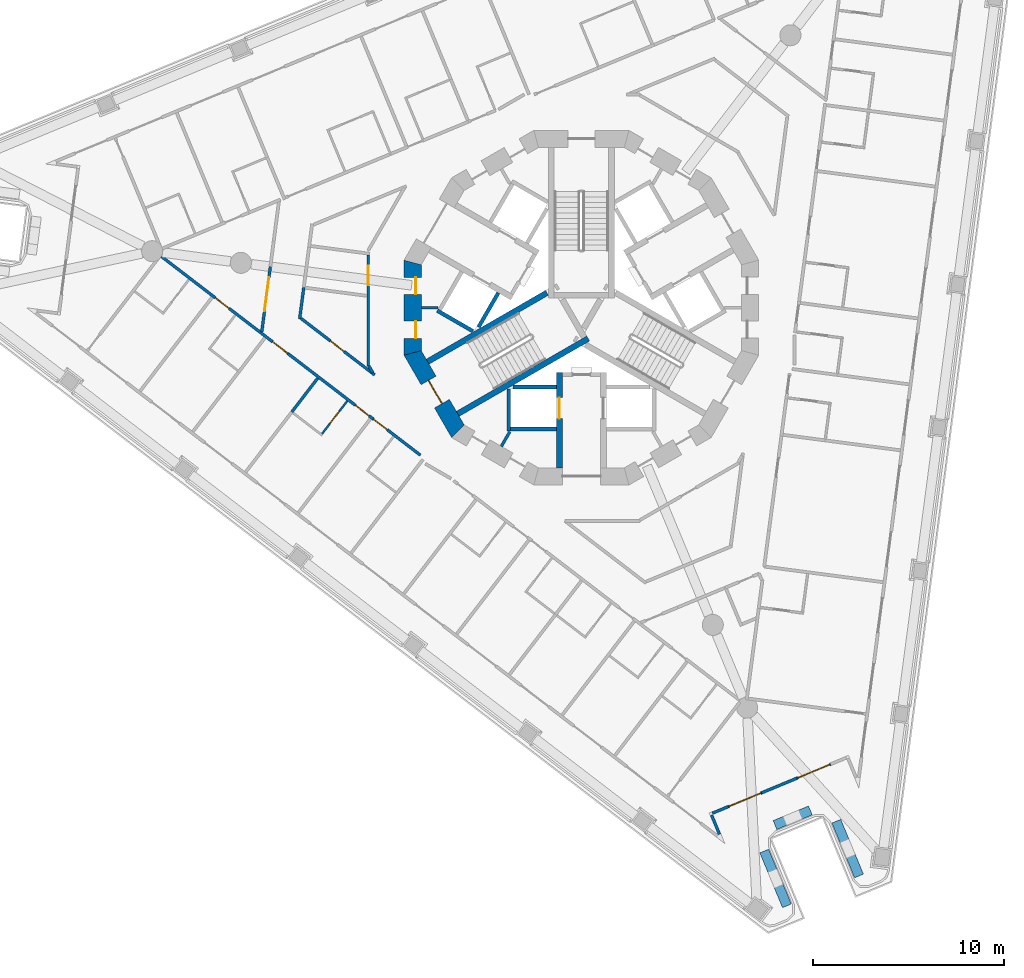
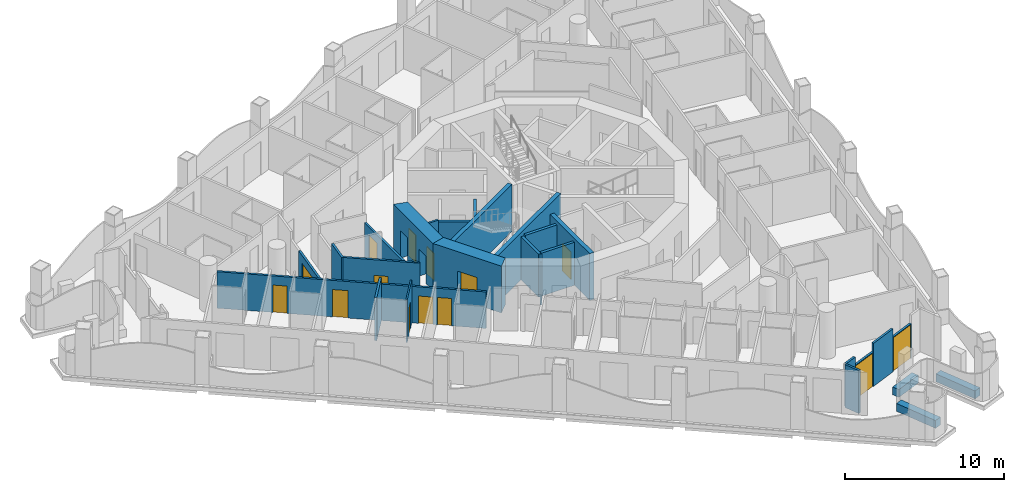
# One storey, part 3 of 18: 28 walls, 14 doors, 14 openings.
"""IFC4 building model written with IfcOpenShell, lengths in metres."""

import ifcopenshell
import ifcopenshell.guid

model = None  # the IFC model being written
_history = None  # IfcOwnerHistory: only IFC2X3 demands one
_inside = {}  # id of a spatial element -> (the spatial element, [elements in it])
_under = {}  # id of a project, library or spatial element -> (it, [spatial elements below it])
_declared = {}  # id of a project -> (the project, [libraries it declares])
_typed = {}  # id of a type object -> (the type object, [elements of that type])
_made_of = {}  # id of a material, layer set ... -> (it, [elements and type objects made of it])


def new_model(schema):
    """Start an empty IFC model of exactly this schema.

    Asked for "IFC4X3", IfcOpenShell would pick the latest addendum, in which some entities
    have other attributes; the version numbers below select the first issue.
    IFC2X3 requires an IfcOwnerHistory on every rooted entity: one is made here for all.
    """
    global model, _history
    if schema == "IFC4X3":
        model = ifcopenshell.file(schema_version=(4, 3, 0, 0))
    else:
        model = ifcopenshell.file(schema=schema)
    _inside.clear()
    _under.clear()
    _declared.clear()
    _typed.clear()
    _made_of.clear()
    _history = None
    if model.schema == "IFC2X3":
        org = make("IfcOrganization", Name="unknown")
        user = make(
            "IfcPersonAndOrganization",
            ThePerson=make("IfcPerson", FamilyName="unknown"),
            TheOrganization=org,
        )
        app = make(
            "IfcApplication",
            ApplicationDeveloper=org,
            Version="unknown",
            ApplicationFullName="unknown",
            ApplicationIdentifier="unknown",
        )
        _history = make(
            "IfcOwnerHistory",
            OwningUser=user,
            OwningApplication=app,
            ChangeAction="ADDED",
            CreationDate=0,
        )
    return model


def make(cls, **values):
    """One entity of the class cls with the attributes given. An attribute that is None is left unset."""
    return model.create_entity(
        cls, **{name: value for name, value in values.items() if value is not None}
    )


def rooted(cls, **values):
    """An entity with a GlobalId (a new one), such as an element, a storey or a relation."""
    return make(cls, GlobalId=ifcopenshell.guid.new(), OwnerHistory=_history, **values)


def si_unit(unit_type, name, prefix=None):
    """IfcSIUnit, for example si_unit("LENGTHUNIT", "METRE", prefix="MILLI")."""
    return make("IfcSIUnit", UnitType=unit_type, Prefix=prefix, Name=name)


def assignment(units):
    """IfcUnitAssignment: the units of a project."""
    return None if units is None else make("IfcUnitAssignment", Units=units)


def point(xyz):
    """IfcCartesianPoint."""
    return None if xyz is None else make("IfcCartesianPoint", Coordinates=xyz)


def direction(xyz):
    """IfcDirection."""
    return None if xyz is None else make("IfcDirection", DirectionRatios=xyz)


def frame(location, z_axis=None, x_axis=None):
    """IfcAxis2Placement3D, a coordinate frame: its origin and axes. An axis left out is left unset."""
    return make(
        "IfcAxis2Placement3D",
        Location=point(location),
        Axis=direction(z_axis),
        RefDirection=direction(x_axis),
    )


def frame_2d(location, x_axis=None):
    """IfcAxis2Placement2D, a coordinate frame in the plane: its origin and x axis."""
    return make(
        "IfcAxis2Placement2D", Location=point(location), RefDirection=direction(x_axis)
    )


def origin():
    """The frame at (0, 0, 0) with its axes left unset."""
    return frame((0.0, 0.0, 0.0))


def place(relative_to, where):
    """IfcLocalPlacement: puts the frame where relative to a parent placement (None: the world)."""
    return make(
        "IfcLocalPlacement", PlacementRelTo=relative_to, RelativePlacement=where
    )


def context(
    kind, dimensions, precision=None, world=None, true_north=None, identifier=None
):
    """IfcGeometricRepresentationContext, for example the 3D "Model" context."""
    return make(
        "IfcGeometricRepresentationContext",
        ContextIdentifier=identifier,
        ContextType=kind,
        CoordinateSpaceDimension=dimensions,
        Precision=precision,
        WorldCoordinateSystem=world,
        TrueNorth=true_north,
    )


def subcontext(parent, identifier, kind, view, scale=None):
    """IfcGeometricRepresentationSubContext, for example "Body" below "Model"."""
    return make(
        "IfcGeometricRepresentationSubContext",
        ContextIdentifier=identifier,
        ContextType=kind,
        ParentContext=parent,
        TargetScale=scale,
        TargetView=view,
    )


def project(units=None, contexts=None):
    """IfcProject with its units and contexts."""
    return rooted(
        "IfcProject",
        Name="project",
        RepresentationContexts=contexts,
        UnitsInContext=assignment(units),
    )


def spatial(cls, under=None, at=None, **own):
    """A site, building, storey or space (cls), placed at a placement, below another one or the project."""
    s = rooted(cls, ObjectPlacement=at, **own)
    if under is not None:
        _under.setdefault(under.id(), (under, []))[1].append(s)
    return s


def polyline(points):
    """IfcPolyline through the points."""
    return make("IfcPolyline", Points=[point(p) for p in points])


def profile(cls, at=None, kind="AREA", **sizes):
    """A parametric profile (cls). Its sizes go by their IFC names, for example OverallWidth=200.0."""
    return make(cls, ProfileType=kind, Position=at, **sizes)


def rectangle(**sizes):
    """IfcRectangleProfileDef."""
    return profile("IfcRectangleProfileDef", **sizes)


def outline(outer, holes=None, kind="AREA"):
    """IfcArbitraryClosedProfileDef: a profile drawn as a closed curve; with holes, ...WithVoids."""
    if holes is None:
        return make("IfcArbitraryClosedProfileDef", ProfileType=kind, OuterCurve=outer)
    return make(
        "IfcArbitraryProfileDefWithVoids",
        ProfileType=kind,
        OuterCurve=outer,
        InnerCurves=holes,
    )


def extrude(swept, where, along, depth):
    """IfcExtrudedAreaSolid: the profile swept, set in the frame where, extruded along a direction by depth."""
    return make(
        "IfcExtrudedAreaSolid",
        SweptArea=swept,
        Position=where,
        ExtrudedDirection=direction(along),
        Depth=depth,
    )


def shape(context_of_items, identifier, shape_type, items):
    """IfcShapeRepresentation: the items that make up one representation, for example the "Body"."""
    return make(
        "IfcShapeRepresentation",
        ContextOfItems=context_of_items,
        RepresentationIdentifier=identifier,
        RepresentationType=shape_type,
        Items=items,
    )


def material(Name=None, Category=None):
    """IfcMaterial."""
    return make("IfcMaterial", Name=Name, Category=Category)


def layer(
    of_material, thickness, ventilated=None, Name=None, Category=None, Priority=None
):
    """IfcMaterialLayer: one layer of a wall or slab, of a material (None: an air gap)."""
    return make(
        "IfcMaterialLayer",
        Material=of_material,
        LayerThickness=thickness,
        IsVentilated=ventilated,
        Name=Name,
        Category=Category,
        Priority=Priority,
    )


def layer_set(layers, Name=None):
    """IfcMaterialLayerSet."""
    return make("IfcMaterialLayerSet", MaterialLayers=layers, LayerSetName=Name)


def made_of(thing, what):
    """Note that an element or type object is made of a material, layer set ...; save() writes the relation."""
    if what is not None:
        _made_of.setdefault(what.id(), (what, []))[1].append(thing)
    return thing


def type_object(cls, material=None, **own):
    """A type object (cls), such as IfcWallType, which elements share."""
    return made_of(rooted(cls, **own), material)


def element(
    cls,
    number,
    at=None,
    inside=None,
    cuts=None,
    type_object=None,
    material=None,
    context=None,
    identifier="Body",
    shape_type=None,
    held_by="IfcProductDefinitionShape",
    body=None,
    shapes=None,
    **own,
):
    """One element of the class cls, such as IfcWall. Its Tag is "e" and its number.

    at: its placement. inside: the storey or other place that contains it. cuts: it is an
    opening in that element (IfcRelVoidsElement). A single representation is given by context,
    identifier, shape_type and body (its items); several are given by shapes. held_by: the class
    of the entity that holds the representations. save() writes the other relations.
    """
    e = rooted(cls, Tag="e%d" % number, ObjectPlacement=at, **own)
    if body is not None:
        shapes = [shape(context, identifier, shape_type, body)]
    if shapes is not None:
        e.Representation = make(held_by, Representations=shapes)
    if inside is not None:
        _inside.setdefault(inside.id(), (inside, []))[1].append(e)
    if cuts is not None:
        rooted(
            "IfcRelVoidsElement", RelatingBuildingElement=cuts, RelatedOpeningElement=e
        )
    if type_object is not None:
        _typed.setdefault(type_object.id(), (type_object, []))[1].append(e)
    return made_of(e, material)


def fill(opening, filler):
    """IfcRelFillsElement: the door or window that sits in an opening."""
    return rooted(
        "IfcRelFillsElement",
        RelatingOpeningElement=opening,
        RelatedBuildingElement=filler,
    )


def aggregate(whole, parts):
    """IfcRelAggregates: a whole, such as a stair, and the parts it consists of."""
    return rooted("IfcRelAggregates", RelatingObject=whole, RelatedObjects=parts)


def save(model, path):
    """Write the relations noted so far, then the file.

    IfcRelAggregates (storeys below a building ...), IfcRelContainedInSpatialStructure (elements
    in a storey), IfcRelDefinesByType, IfcRelAssociatesMaterial and IfcRelDeclares: one each for
    every whole, place, type object, material and project.
    """
    for whole, parts in _under.values():
        aggregate(whole, parts)
    for where, things in _inside.values():
        rooted(
            "IfcRelContainedInSpatialStructure",
            RelatedElements=things,
            RelatingStructure=where,
        )
    for kind, things in _typed.values():
        rooted("IfcRelDefinesByType", RelatedObjects=things, RelatingType=kind)
    for what, things in _made_of.values():
        rooted("IfcRelAssociatesMaterial", RelatedObjects=things, RelatingMaterial=what)
    for by, libraries in _declared.values():
        rooted("IfcRelDeclares", RelatingContext=by, RelatedDefinitions=libraries)
    model.write(path)


model = new_model("IFC4")

# Units and contexts
model_context = context("Model", 3, precision=1e-05, world=origin(), true_north=direction((0.0, 1.0)))
body_context = subcontext(model_context, "Body", "Model", "MODEL_VIEW")
ifc_project = project(units=[si_unit("LENGTHUNIT", "METRE"), si_unit("AREAUNIT", "SQUARE_METRE"), si_unit("VOLUMEUNIT", "CUBIC_METRE"), si_unit("PLANEANGLEUNIT", "RADIAN"), si_unit("MASSUNIT", "GRAM", prefix="KILO")], contexts=[model_context])

# Site, building, storey
site_placement = place(None, origin())
site = spatial("IfcSite", under=ifc_project, at=site_placement, CompositionType="ELEMENT")
building_placement = place(site_placement, origin())
building = spatial("IfcBuilding", under=site, at=building_placement, Name="Trine Commons Tower", CompositionType="ELEMENT")
storey_placement = place(building_placement, frame((0.0, 0.0, 145.800048828125)))
storey = spatial("IfcBuildingStorey", under=building, at=storey_placement, Name="L37", CompositionType="ELEMENT", Elevation=145.800048828125)

# Walls
ifc_material_1 = material(Name="Plasterboard partition on steel studs", Category="steel")
ifc_layer_1 = layer(ifc_material_1, 0.14990234375)
ifc_layer_set_1 = layer_set([ifc_layer_1], Name="Plasterboard partition on steel studs")
wall_type_1 = type_object("IfcWallType", Name="Core room partition 150 mm, EI 60", PredefinedType="PARTITIONING", material=ifc_layer_set_1)
for number, where, z_axis, x_axis, name in (
    (1, (71.626953125, 62.5, 0.0), (0.0, 0.0, 1.0), (1.0, 0.0, 0.0), "Core room partition L37"),
    (2, (75.81396484375, 55.2490234375, 0.0), (0.0, 0.0, 1.0), (0.499890179513, 0.866088799389, 0.0), "Core room partition L37"),
):
    element("IfcWall", number, at=place(storey_placement, frame(where, z_axis=z_axis, x_axis=x_axis)), inside=storey, type_object=wall_type_1, Name=name, PredefinedType="PARTITIONING", context=body_context, shape_type="SweptSolid", body=[
        extrude(rectangle(XDim=0.882080078125, YDim=0.14990234375, at=frame_2d((0.44091796875, 0.0))), origin(), (0.0, 0.0, 1.0), 3.300048828125),
    ])

# Wall, opening, door
ifc_material_2 = material(Name="Aluminium-framed insulated wall panel", Category="aluminium")
ifc_layer_2 = layer(ifc_material_2, 0.14990234375)
ifc_layer_set_2 = layer_set([ifc_layer_2], Name="Aluminium-framed insulated wall panel")
wall_type_2 = type_object("IfcWallType", Name="Glazed frame wall 150, EI 60", PredefinedType="SOLIDWALL", material=ifc_layer_set_2)
wall_1_placement = place(storey_placement, frame((93.027587890625, 38.626708984375, 0.0), z_axis=(0.0, 0.0, 1.0), x_axis=(-0.923888414498, -0.382661988648, 0.0)))
wall_1 = element("IfcWall", 3, at=wall_1_placement, inside=storey, type_object=wall_type_2, Name="Glazed frame wall P3.2", PredefinedType="SOLIDWALL", context=body_context, shape_type="SweptSolid", body=[
    extrude(outline(polyline([(0.0, -0.074951171875), (1.89990234375, -0.074951171875), (1.89990234375, 0.074951171875), (0.0, 0.074951171875), (0.0, -0.074951171875)])), origin(), (0.0, 0.0, 1.0), 2.64990234375),
])
opening_1_placement = place(wall_1_placement, frame((0.050048828125, 0.0, 0.0)))
opening_1 = element("IfcOpeningElement", 4, at=opening_1_placement, cuts=wall_1, Name="Opening BD-4P3-01", PredefinedType="OPENING", context=body_context, shape_type="SweptSolid", body=[
    extrude(rectangle(XDim=1.800048828125, YDim=2.60009765625, at=frame_2d((0.89990234375, 1.300048828125))), frame((0.0, 0.0849609375, 0.0), z_axis=(0.0, -1.0, 0.0), x_axis=(1.0, 0.0, 0.0)), (0.0, 0.0, 1.0), 0.169921875),
])
ifc_material_3 = material(Name="Anodised aluminium frame with double glazing", Category="aluminium")
door_type_1 = type_object("IfcDoorType", Name="Sliding loggia door 1800x2600", OperationType="SLIDING_TO_LEFT", PredefinedType="DOOR", material=ifc_material_3)
door_1_placement = place(opening_1_placement, origin())
door_1 = element("IfcDoor", 5, at=door_1_placement, inside=storey, type_object=door_type_1, Name="Loggia door P3 1", OperationType="SLIDING_TO_LEFT", OverallHeight=2.60009765625, OverallWidth=1.800048828125, PredefinedType="DOOR", context=body_context, shape_type="SweptSolid", body=[
    extrude(rectangle(XDim=1.800048828125, YDim=2.60009765625, at=frame_2d((0.89990234375, 1.300048828125))), frame((0.0, 0.02490234375, 0.0), z_axis=(0.0, -1.0, 0.0), x_axis=(1.0, 0.0, 0.0)), (0.0, 0.0, 1.0), 0.050048828125),
])
fill(opening_1, door_1)

# Wall
wall_2_placement = place(storey_placement, frame((91.272216796875, 37.899658203125, 0.0), z_axis=(0.0, 0.0, 1.0), x_axis=(-0.923887406181, -0.382664423091, 0.0)))
element("IfcWall", 6, at=wall_2_placement, inside=storey, type_object=wall_type_2, Name="Glazed frame wall P3.3", PredefinedType="SOLIDWALL", context=body_context, shape_type="SweptSolid", body=[
    extrude(outline(polyline([(0.0, -0.074951171875), (2.0, -0.074951171875), (2.0, 0.074951171875), (0.0, 0.074951171875), (0.0, -0.074951171875)])), origin(), (0.0, 0.0, 1.0), 3.300048828125),
])

# Wall, opening, door
wall_3_placement = place(storey_placement, frame((89.42431640625, 37.13427734375, 0.0), z_axis=(0.0, 0.0, 1.0), x_axis=(-0.923869595408, -0.382707421773, 0.0)))
wall_3 = element("IfcWall", 7, at=wall_3_placement, inside=storey, type_object=wall_type_2, Name="Glazed frame wall P3.4", PredefinedType="SOLIDWALL", context=body_context, shape_type="SweptSolid", body=[
    extrude(outline(polyline([(0.0, -0.074951171875), (1.89990234375, -0.074951171875), (1.89990234375, 0.074951171875), (0.0, 0.074951171875), (0.0, -0.074951171875)])), origin(), (0.0, 0.0, 1.0), 2.64990234375),
])
opening_2_placement = place(wall_3_placement, frame((0.050048828125, 0.0, 0.0)))
opening_2 = element("IfcOpeningElement", 8, at=opening_2_placement, cuts=wall_3, Name="Opening BD-4P3-02", PredefinedType="OPENING", context=body_context, shape_type="SweptSolid", body=[
    extrude(rectangle(XDim=1.800048828125, YDim=2.60009765625, at=frame_2d((0.89990234375, 1.300048828125))), frame((0.0, 0.0849609375, 0.0), z_axis=(0.0, -1.0, 0.0), x_axis=(1.0, 0.0, 0.0)), (0.0, 0.0, 1.0), 0.169921875),
])
door_2_placement = place(opening_2_placement, origin())
door_2 = element("IfcDoor", 9, at=door_2_placement, inside=storey, type_object=door_type_1, Name="Loggia door P3 2", OperationType="SLIDING_TO_LEFT", OverallHeight=2.60009765625, OverallWidth=1.800048828125, PredefinedType="DOOR", context=body_context, shape_type="SweptSolid", body=[
    extrude(rectangle(XDim=1.800048828125, YDim=2.60009765625, at=frame_2d((0.89990234375, 1.300048828125))), frame((0.0, 0.02490234375, 0.0), z_axis=(0.0, -1.0, 0.0), x_axis=(1.0, 0.0, 0.0)), (0.0, 0.0, 1.0), 0.050048828125),
])
fill(opening_2, door_2)

# Walls
wall_4_placement = place(storey_placement, frame((87.669189453125, 36.4072265625, 0.0), z_axis=(0.0, 0.0, 1.0), x_axis=(-0.923862128325, -0.382725447084, 0.0)))
element("IfcWall", 10, at=wall_4_placement, inside=storey, type_object=wall_type_2, Name="Glazed frame wall P3.5", PredefinedType="SOLIDWALL", context=body_context, shape_type="SweptSolid", body=[
    extrude(outline(polyline([(0.889892578125, 0.074951171875), (0.0, 0.074951171875), (0.0, -0.074951171875), (0.889892578125, -0.074951171875), (0.889892578125, 0.074951171875)])), origin(), (0.0, 0.0, 1.0), 3.300048828125),
])
wall_5_placement = place(storey_placement, frame((86.76416015625, 36.0703125, 0.0), z_axis=(0.0, 0.0, 1.0), x_axis=(0.382629665579, -0.923901801611, 0.0)))
element("IfcWall", 11, at=wall_5_placement, inside=storey, type_object=wall_type_2, Name="Glazed frame wall R11", PredefinedType="SOLIDWALL", context=body_context, shape_type="SweptSolid", body=[
    extrude(outline(polyline([(0.110107421875, 0.074951171875), (0.110107421875, -0.074951171875), (1.19580078125, -0.074951171875), (1.19580078125, 0.074951171875), (0.110107421875, 0.074951171875)])), origin(), (0.0, 0.0, 1.0), 3.300048828125),
])
ifc_material_4 = material(Name="Planter trough, precast concrete C40/50", Category="concrete")
ifc_layer_3 = layer(ifc_material_4, 0.5)
ifc_layer_set_3 = layer_set([ifc_layer_3], Name="Planter trough, precast concrete C40/50")
wall_type_3 = type_object("IfcWallType", Name="Planter trough 500x600", PredefinedType="PARAPET", material=ifc_layer_set_3)
wall_6_placement = place(storey_placement, frame((94.515625, 32.78662109375, 0.0), z_axis=(0.0, 0.0, 1.0), x_axis=(-0.382674068277, 0.923883411188, 0.0)))
element("IfcWall", 12, at=wall_6_placement, inside=storey, type_object=wall_type_3, Name="Planter 7", PredefinedType="PARAPET", context=body_context, shape_type="SweptSolid", body=[
    extrude(rectangle(XDim=3.099853515625, YDim=0.5, at=frame_2d((1.5498046875, 0.0))), origin(), (0.0, 0.0, 1.0), 0.599853515625),
])
wall_7_placement = place(storey_placement, frame((91.970703125, 36.21337890625, 0.0), z_axis=(0.0, 0.0, 1.0), x_axis=(-0.923930555985, -0.382560227567, 0.0)))
element("IfcWall", 13, at=wall_7_placement, inside=storey, type_object=wall_type_3, Name="Planter 8", PredefinedType="PARAPET", context=body_context, shape_type="SweptSolid", body=[
    extrude(rectangle(XDim=2.0, YDim=0.5, at=frame_2d((1.0, 0.0))), origin(), (0.0, 0.0, 1.0), 0.599853515625),
])
wall_8_placement = place(storey_placement, frame((89.56005859375, 34.08935546875, 0.0), z_axis=(0.0, 0.0, 1.0), x_axis=(0.382674068277, -0.923883411188, 0.0)))
element("IfcWall", 14, at=wall_8_placement, inside=storey, type_object=wall_type_3, Name="Planter 9", PredefinedType="PARAPET", context=body_context, shape_type="SweptSolid", body=[
    extrude(rectangle(XDim=3.099853515625, YDim=0.5, at=frame_2d((1.5498046875, 0.0))), origin(), (0.0, 0.0, 1.0), 0.599853515625),
])

# Wall, opening, door
ifc_material_5 = material(Name="Concrete C70/85", Category="concrete")
ifc_layer_4 = layer(ifc_material_5, 0.300048828125)
ifc_layer_set_4 = layer_set([ifc_layer_4], Name="Concrete C70/85")
wall_type_4 = type_object("IfcWallType", Name="RC shear wall 300 mm, C70/85", PredefinedType="SHEAR", material=ifc_layer_set_4)
wall_9_placement = place(storey_placement, frame((78.85009765625, 59.10009765625, 0.0), z_axis=(0.0, 0.0, 1.0), x_axis=(0.0, -1.0, 0.0)))
wall_9 = element("IfcWall", 15, at=wall_9_placement, inside=storey, type_object=wall_type_4, Name="Core cross wall SWB-03 L37", PredefinedType="SHEAR", context=body_context, shape_type="SweptSolid", body=[
    extrude(rectangle(XDim=4.97314453125, YDim=0.300048828125, at=frame_2d((2.486572265625, 0.0))), origin(), (0.0, 0.0, 1.0), 3.599853515625),
])
opening_3_placement = place(wall_9_placement, frame((1.300048828125, 0.0, 0.0)))
opening_3 = element("IfcOpeningElement", 16, at=opening_3_placement, cuts=wall_9, Name="Opening LD10", PredefinedType="OPENING", context=body_context, shape_type="SweptSolid", body=[
    extrude(rectangle(XDim=1.10009765625, YDim=2.10009765625, at=frame_2d((0.550048828125, 1.050048828125))), frame((0.0, 0.159912109375, 0.0), z_axis=(0.0, -1.0, 0.0), x_axis=(1.0, 0.0, 0.0)), (0.0, 0.0, 1.0), 0.320068359375),
])
ifc_material_6 = material(Name="Stainless steel sliding door leaves", Category="steel")
door_type_2 = type_object("IfcDoorType", Name="Lift landing door, centre-opening sliding 1100 x 2100, FD90", OperationType="DOUBLE_DOOR_SLIDING", PredefinedType="DOOR", material=ifc_material_6)
door_3_placement = place(opening_3_placement, origin())
door_3 = element("IfcDoor", 17, at=door_3_placement, inside=storey, type_object=door_type_2, Name="Lift landing door FF2 L37", OperationType="DOUBLE_DOOR_SLIDING", OverallHeight=2.10009765625, OverallWidth=1.10009765625, PredefinedType="DOOR", context=body_context, shape_type="SweptSolid", body=[
    extrude(rectangle(XDim=1.10009765625, YDim=2.10009765625, at=frame_2d((0.550048828125, 1.050048828125))), frame((0.0, 0.02490234375, 0.0), z_axis=(0.0, -1.0, 0.0), x_axis=(1.0, 0.0, 0.0)), (0.0, 0.0, 1.0), 0.050048828125),
])
fill(opening_3, door_3)

# Walls
wall_10_placement = place(storey_placement, frame((78.199951171875, 63.280029296875, 0.0), z_axis=(0.0, 0.0, 1.0), x_axis=(-0.866028135082, -0.499995269223, 0.0)))
element("IfcWall", 18, at=wall_10_placement, inside=storey, type_object=wall_type_4, Name="Core cross wall SWB-07 L37", PredefinedType="SHEAR", context=body_context, shape_type="SweptSolid", body=[
    extrude(rectangle(XDim=7.2041015625, YDim=0.300048828125, at=frame_2d((3.60205078125, 0.0))), origin(), (0.0, 0.0, 1.0), 3.599853515625),
])
wall_11_placement = place(storey_placement, frame((80.35400390625, 60.885986328125, 0.0), z_axis=(0.0, 0.0, 1.0), x_axis=(-0.866047706748, -0.499961368145, 0.0)))
element("IfcWall", 19, at=wall_11_placement, inside=storey, type_object=wall_type_4, Name="Core cross wall SWB-14 L37", PredefinedType="SHEAR", context=body_context, shape_type="SweptSolid", body=[
    extrude(rectangle(XDim=7.87255859375, YDim=0.300048828125, at=frame_2d((3.936279296875, 0.0))), origin(), (0.0, 0.0, 1.0), 3.599853515625),
])

# Wall, openings, doors
ifc_layer_5 = layer(ifc_material_5, 0.89990234375)
ifc_layer_set_5 = layer_set([ifc_layer_5], Name="Concrete C70/85")
wall_type_5 = type_object("IfcWallType", Name="RC shear wall 900 mm, C70/85", PredefinedType="SHEAR", material=ifc_layer_set_5)
wall_12_placement = place(storey_placement, frame((71.177001953125, 64.984619140625, 0.0), z_axis=(0.0, 0.0, 1.0), x_axis=(0.0, -1.0, 0.0)))
wall_12 = element("IfcWall", 20, at=wall_12_placement, inside=storey, type_object=wall_type_5, Name="Core wall CWD-07 L37", PredefinedType="SHEAR", context=body_context, shape_type="SweptSolid", body=[
    extrude(outline(polyline([(0.0, -0.449951171875), (4.969482421875, -0.449951171875), (4.728271484375, 0.449951171875), (0.2412109375, 0.449951171875), (0.0, -0.449951171875)])), origin(), (0.0, 0.0, 1.0), 3.599853515625),
])
opening_4_placement = place(wall_12_placement, frame((0.893798828125, 0.0, 0.0)))
opening_4 = element("IfcOpeningElement", 21, at=opening_4_placement, cuts=wall_12, Name="Opening K12.16", PredefinedType="OPENING", context=body_context, shape_type="SweptSolid", body=[
    extrude(rectangle(XDim=0.89990234375, YDim=2.10009765625, at=frame_2d((0.449951171875, 1.050048828125))), frame((0.0, 0.4599609375, 0.0), z_axis=(0.0, -1.0, 0.0), x_axis=(1.0, 0.0, 0.0)), (0.0, 0.0, 1.0), 0.919921875),
])
opening_5_placement = place(wall_12_placement, frame((3.184814453125, 0.0, 0.0)))
opening_5 = element("IfcOpeningElement", 22, at=opening_5_placement, cuts=wall_12, Name="Opening K12.17", PredefinedType="OPENING", context=body_context, shape_type="SweptSolid", body=[
    extrude(rectangle(XDim=0.89990234375, YDim=2.10009765625, at=frame_2d((0.449951171875, 1.050048828125))), frame((0.0, 0.4599609375, 0.0), z_axis=(0.0, -1.0, 0.0), x_axis=(1.0, 0.0, 0.0)), (0.0, 0.0, 1.0), 0.919921875),
])
ifc_material_7 = material(Name="Steel door leaf, fire-rated", Category="steel")
door_type_3 = type_object("IfcDoorType", Name="Core room door, single leaf 900 x 2100, FD30S", OperationType="SINGLE_SWING_LEFT", PredefinedType="DOOR", material=ifc_material_7)
door_4_placement = place(opening_4_placement, origin())
door_4 = element("IfcDoor", 23, at=door_4_placement, inside=storey, type_object=door_type_3, Name="Door to Pantry L37", OperationType="SINGLE_SWING_LEFT", OverallHeight=2.10009765625, OverallWidth=0.89990234375, PredefinedType="DOOR", context=body_context, shape_type="SweptSolid", body=[
    extrude(rectangle(XDim=0.89990234375, YDim=2.10009765625, at=frame_2d((0.449951171875, 1.050048828125))), frame((0.0, 0.1748046875, 0.0), z_axis=(0.0, -1.0, 0.0), x_axis=(1.0, 0.0, 0.0)), (0.0, 0.0, 1.0), 0.050048828125),
])
fill(opening_4, door_4)
door_5_placement = place(opening_5_placement, origin())
door_5 = element("IfcDoor", 24, at=door_5_placement, inside=storey, type_object=door_type_3, Name="Door to Comms room L37", OperationType="SINGLE_SWING_RIGHT", OverallHeight=2.10009765625, OverallWidth=0.89990234375, PredefinedType="DOOR", context=body_context, shape_type="SweptSolid", body=[
    extrude(rectangle(XDim=0.89990234375, YDim=2.10009765625, at=frame_2d((0.449951171875, 1.050048828125))), frame((0.0, 0.1748046875, 0.0), z_axis=(0.0, -1.0, 0.0), x_axis=(1.0, 0.0, 0.0)), (0.0, 0.0, 1.0), 0.050048828125),
])
fill(opening_5, door_5)

# Wall, opening, door
wall_13_placement = place(storey_placement, frame((71.11669921875, 60.240234375, 0.0), z_axis=(0.0, 0.0, 1.0), x_axis=(0.500038571144, -0.866003133579, 0.0)))
wall_13 = element("IfcWall", 25, at=wall_13_placement, inside=storey, type_object=wall_type_5, Name="Core wall CWD-08 L37", PredefinedType="SHEAR", context=body_context, shape_type="SweptSolid", body=[
    extrude(outline(polyline([(0.0, -0.449951171875), (4.96923828125, -0.449951171875), (4.72802734375, 0.449951171875), (0.2412109375, 0.449951171875), (0.0, -0.449951171875)])), origin(), (0.0, 0.0, 1.0), 3.599853515625),
])
opening_6_placement = place(wall_13_placement, frame((1.78466796875, 0.0, 0.0)))
opening_6 = element("IfcOpeningElement", 26, at=opening_6_placement, cuts=wall_13, Name="Opening K12.02", PredefinedType="OPENING", context=body_context, shape_type="SweptSolid", body=[
    extrude(rectangle(XDim=1.39990234375, YDim=2.10009765625, at=frame_2d((0.699951171875, 1.050048828125))), frame((0.0, 0.4599609375, 0.0), z_axis=(0.0, -1.0, 0.0), x_axis=(1.0, 0.0, 0.0)), (0.0, 0.0, 1.0), 0.919921875),
])
ifc_material_8 = material(Name="Steel door leaves, fire-rated", Category="steel")
door_type_4 = type_object("IfcDoorType", Name="Stair door, double leaf 1400 x 2100, FD90", OperationType="DOUBLE_DOOR_SINGLE_SWING", PredefinedType="DOOR", material=ifc_material_8)
door_6_placement = place(opening_6_placement, origin())
door_6 = element("IfcDoor", 27, at=door_6_placement, inside=storey, type_object=door_type_4, Name="Stair door to Exit stair ST2B L37", OperationType="DOUBLE_DOOR_SINGLE_SWING", OverallHeight=2.10009765625, OverallWidth=1.39990234375, PredefinedType="DOOR", context=body_context, shape_type="SweptSolid", body=[
    extrude(rectangle(XDim=1.39990234375, YDim=2.10009765625, at=frame_2d((0.699951171875, 1.050048828125))), frame((0.0, 0.02490234375, 0.0), z_axis=(0.0, -1.0, 0.0), x_axis=(1.0, 0.0, 0.0)), (0.0, 0.0, 1.0), 0.050048828125),
])
fill(opening_6, door_6)

# Walls
ifc_material_9 = material(Name="Fire-rated gypsum shaft wall system")
ifc_layer_6 = layer(ifc_material_9, 0.199951171875)
ifc_layer_set_6 = layer_set([ifc_layer_6], Name="Fire-rated gypsum shaft wall system")
wall_type_6 = type_object("IfcWallType", Name="Shaft wall 200 mm, EI 120", PredefinedType="PARTITIONING", material=ifc_layer_set_6)
wall_14_placement = place(storey_placement, frame((74.324951171875, 61.27392578125, 0.0), z_axis=(0.0, 0.0, 1.0), x_axis=(-0.866102336459, 0.499866725018, 0.0)))
element("IfcWall", 28, at=wall_14_placement, inside=storey, type_object=wall_type_6, Name="Shaft wall L37", PredefinedType="PARTITIONING", context=body_context, shape_type="SweptSolid", body=[
    extrude(rectangle(XDim=2.1484375, YDim=0.199951171875, at=frame_2d((1.07421875, 0.0))), origin(), (0.0, 0.0, 1.0), 3.300048828125),
])
wall_15_placement = place(storey_placement, frame((75.656005859375, 63.27587890625, 0.0), z_axis=(0.0, 0.0, 1.0), x_axis=(-0.500271688072, -0.86586848777, 0.0)))
element("IfcWall", 29, at=wall_15_placement, inside=storey, type_object=wall_type_6, Name="Shaft wall L37", PredefinedType="PARTITIONING", context=body_context, shape_type="SweptSolid", body=[
    extrude(rectangle(XDim=2.064697265625, YDim=0.199951171875, at=frame_2d((1.0322265625, 0.0))), origin(), (0.0, 0.0, 1.0), 3.300048828125),
])
wall_16_placement = place(storey_placement, frame((76.199951171875, 58.257080078125, 0.0), z_axis=(0.0, 0.0, 1.0), x_axis=(0.0, -1.0, 0.0)))
element("IfcWall", 30, at=wall_16_placement, inside=storey, type_object=wall_type_6, Name="Shaft wall L37", PredefinedType="PARTITIONING", context=body_context, shape_type="SweptSolid", body=[
    extrude(rectangle(XDim=2.20703125, YDim=0.199951171875, at=frame_2d((1.103515625, 0.0))), origin(), (0.0, 0.0, 1.0), 3.300048828125),
])
wall_17_placement = place(storey_placement, frame((78.699951171875, 56.14990234375, 0.0), z_axis=(0.0, 0.0, 1.0), x_axis=(-1.0, 0.0, 0.0)))
element("IfcWall", 31, at=wall_17_placement, inside=storey, type_object=wall_type_6, Name="Shaft wall L37", PredefinedType="PARTITIONING", context=body_context, shape_type="SweptSolid", body=[
    extrude(rectangle(XDim=2.39990234375, YDim=0.199951171875, at=frame_2d((1.199951171875, 0.0))), origin(), (0.0, 0.0, 1.0), 3.300048828125),
])
wall_18_placement = place(storey_placement, frame((78.699951171875, 58.35009765625, 0.0), z_axis=(0.0, 0.0, 1.0), x_axis=(-1.0, 0.0, 0.0)))
element("IfcWall", 32, at=wall_18_placement, inside=storey, type_object=wall_type_6, Name="Shaft wall L37", PredefinedType="PARTITIONING", context=body_context, shape_type="SweptSolid", body=[
    extrude(rectangle(XDim=2.264892578125, YDim=0.199951171875, at=frame_2d((1.13232421875, 0.0))), origin(), (0.0, 0.0, 1.0), 3.300048828125),
])

# Wall, openings, doors
ifc_material_10 = material(Name="Gypsum plasterboard on steel stud", Category="steel")
ifc_layer_7 = layer(ifc_material_10, 0.14990234375)
ifc_layer_set_7 = layer_set([ifc_layer_7], Name="Gypsum plasterboard on steel stud")
wall_type_7 = type_object("IfcWallType", Name="Unit and corridor wall 150 mm, EI 60", PredefinedType="PARTITIONING", material=ifc_layer_set_7)
wall_19_placement = place(storey_placement, frame((58.04150390625, 65.17626953125, 0.0), z_axis=(0.0, 0.0, 1.0), x_axis=(0.793390311924, -0.608713243609, 0.0)))
wall_19 = element("IfcWall", 33, at=wall_19_placement, inside=storey, type_object=wall_type_7, Name="Partition 006", PredefinedType="PARTITIONING", context=body_context, shape_type="SweptSolid", body=[
    extrude(rectangle(XDim=17.064208984375, YDim=0.14990234375, at=frame_2d((8.5322265625, 0.0))), origin(), (0.0, 0.0, 1.0), 2.800048828125),
])
opening_7_placement = place(wall_19_placement, frame((13.98388671875, 0.0, 0.0)))
opening_7 = element("IfcOpeningElement", 34, at=opening_7_placement, cuts=wall_19, Name="Opening D-4C28", PredefinedType="OPENING", context=body_context, shape_type="SweptSolid", body=[
    extrude(rectangle(XDim=0.89990234375, YDim=2.10009765625, at=frame_2d((0.449951171875, 1.050048828125))), frame((0.0, 0.0849609375, 0.0), z_axis=(0.0, -1.0, 0.0), x_axis=(1.0, 0.0, 0.0)), (0.0, 0.0, 1.0), 0.169921875),
])
opening_8_placement = place(wall_19_placement, frame((12.7841796875, 0.0, 0.0)))
opening_8 = element("IfcOpeningElement", 35, at=opening_8_placement, cuts=wall_19, Name="Opening D-4C29", PredefinedType="OPENING", context=body_context, shape_type="SweptSolid", body=[
    extrude(rectangle(XDim=0.89990234375, YDim=2.10009765625, at=frame_2d((0.449951171875, 1.050048828125))), frame((0.0, 0.0849609375, 0.0), z_axis=(0.0, -1.0, 0.0), x_axis=(1.0, 0.0, 0.0)), (0.0, 0.0, 1.0), 0.169921875),
])
opening_9_placement = place(wall_19_placement, frame((7.32177734375, 0.0, 0.0)))
opening_9 = element("IfcOpeningElement", 36, at=opening_9_placement, cuts=wall_19, Name="Opening D-4C30", PredefinedType="OPENING", context=body_context, shape_type="SweptSolid", body=[
    extrude(rectangle(XDim=1.0, YDim=2.10009765625, at=frame_2d((0.5, 1.050048828125))), frame((0.0, 0.0849609375, 0.0), z_axis=(0.0, -1.0, 0.0), x_axis=(1.0, 0.0, 0.0)), (0.0, 0.0, 1.0), 0.169921875),
])
opening_10_placement = place(wall_19_placement, frame((3.55126953125, 0.0, 0.0)))
opening_10 = element("IfcOpeningElement", 37, at=opening_10_placement, cuts=wall_19, Name="Opening D-4C31", PredefinedType="OPENING", context=body_context, shape_type="SweptSolid", body=[
    extrude(rectangle(XDim=0.89990234375, YDim=2.10009765625, at=frame_2d((0.449951171875, 1.050048828125))), frame((0.0, 0.0849609375, 0.0), z_axis=(0.0, -1.0, 0.0), x_axis=(1.0, 0.0, 0.0)), (0.0, 0.0, 1.0), 0.169921875),
])
ifc_material_11 = material(Name="Painted timber", Category="wood")
door_type_5 = type_object("IfcDoorType", Name="Amenity room door 1000 x 2100, NOT RATED", OperationType="NOTDEFINED", PredefinedType="DOOR", material=ifc_material_11)
door_7_placement = place(opening_9_placement, frame((1.0, 0.0, 0.0), z_axis=(0.0, 0.0, 1.0), x_axis=(-1.0, 0.0, 0.0)))
door_7 = element("IfcDoor", 38, at=door_7_placement, inside=storey, type_object=door_type_5, Name="Door D-4C30", OperationType="SINGLE_SWING_RIGHT", OverallHeight=2.10009765625, OverallWidth=1.0, PredefinedType="DOOR", context=body_context, shape_type="SweptSolid", body=[
    extrude(rectangle(XDim=1.0, YDim=2.10009765625, at=frame_2d((0.5, 1.050048828125))), frame((0.0, 0.02490234375, 0.0), z_axis=(0.0, -1.0, 0.0), x_axis=(1.0, 0.0, 0.0)), (0.0, 0.0, 1.0), 0.050048828125),
])
fill(opening_9, door_7)
ifc_material_12 = material(Name="Timber fire door set", Category="wood")
door_type_6 = type_object("IfcDoorType", Name="Bedroom door 900 x 2100, FD30S", OperationType="NOTDEFINED", PredefinedType="DOOR", material=ifc_material_12)
door_8_placement = place(opening_7_placement, frame((0.89990234375, 0.0, 0.0), z_axis=(0.0, 0.0, 1.0), x_axis=(-1.0, 0.0, 0.0)))
door_8 = element("IfcDoor", 39, at=door_8_placement, inside=storey, type_object=door_type_6, Name="Door D-4C28", OperationType="SINGLE_SWING_LEFT", OverallHeight=2.10009765625, OverallWidth=0.89990234375, PredefinedType="DOOR", context=body_context, shape_type="SweptSolid", body=[
    extrude(rectangle(XDim=0.89990234375, YDim=2.10009765625, at=frame_2d((0.449951171875, 1.050048828125))), frame((0.0, 0.02490234375, 0.0), z_axis=(0.0, -1.0, 0.0), x_axis=(1.0, 0.0, 0.0)), (0.0, 0.0, 1.0), 0.050048828125),
])
fill(opening_7, door_8)
door_9_placement = place(opening_8_placement, frame((0.89990234375, 0.0, 0.0), z_axis=(0.0, 0.0, 1.0), x_axis=(-1.0, 0.0, 0.0)))
door_9 = element("IfcDoor", 40, at=door_9_placement, inside=storey, type_object=door_type_6, Name="Door D-4C29", OperationType="SINGLE_SWING_LEFT", OverallHeight=2.10009765625, OverallWidth=0.89990234375, PredefinedType="DOOR", context=body_context, shape_type="SweptSolid", body=[
    extrude(rectangle(XDim=0.89990234375, YDim=2.10009765625, at=frame_2d((0.449951171875, 1.050048828125))), frame((0.0, 0.02490234375, 0.0), z_axis=(0.0, -1.0, 0.0), x_axis=(1.0, 0.0, 0.0)), (0.0, 0.0, 1.0), 0.050048828125),
])
fill(opening_8, door_9)
door_10_placement = place(opening_10_placement, frame((0.89990234375, 0.0, 0.0), z_axis=(0.0, 0.0, 1.0), x_axis=(-1.0, 0.0, 0.0)))
door_10 = element("IfcDoor", 41, at=door_10_placement, inside=storey, type_object=door_type_6, Name="Door D-4C31", OperationType="SINGLE_SWING_RIGHT", OverallHeight=2.10009765625, OverallWidth=0.89990234375, PredefinedType="DOOR", context=body_context, shape_type="SweptSolid", body=[
    extrude(rectangle(XDim=0.89990234375, YDim=2.10009765625, at=frame_2d((0.449951171875, 1.050048828125))), frame((0.0, 0.02490234375, 0.0), z_axis=(0.0, -1.0, 0.0), x_axis=(1.0, 0.0, 0.0)), (0.0, 0.0, 1.0), 0.050048828125),
])
fill(opening_10, door_10)

# Wall, opening, door
wall_20_placement = place(storey_placement, frame((63.286865234375, 61.2333984375, 0.0), z_axis=(0.0, 0.0, 1.0), x_axis=(0.130693367383, 0.991422838007, 0.0)))
wall_20 = element("IfcWall", 42, at=wall_20_placement, inside=storey, type_object=wall_type_7, Name="Partition 020", PredefinedType="PARTITIONING", context=body_context, shape_type="SweptSolid", body=[
    extrude(rectangle(XDim=3.437255859375, YDim=0.14990234375, at=frame_2d((1.71875, 0.0))), origin(), (0.0, 0.0, 1.0), 2.699951171875),
])
opening_11_placement = place(wall_20_placement, frame((1.0859375, 0.0, 0.0)))
opening_11 = element("IfcOpeningElement", 43, at=opening_11_placement, cuts=wall_20, Name="Opening D-4C03", PredefinedType="OPENING", context=body_context, shape_type="SweptSolid", body=[
    extrude(rectangle(XDim=1.800048828125, YDim=2.10009765625, at=frame_2d((0.89990234375, 1.050048828125))), frame((0.0, 0.0849609375, 0.0), z_axis=(0.0, -1.0, 0.0), x_axis=(1.0, 0.0, 0.0)), (0.0, 0.0, 1.0), 0.169921875),
])
door_type_7 = type_object("IfcDoorType", Name="Cluster entrance door 1800 x 2100, double leaf, FD30S", OperationType="DOUBLE_DOOR_DOUBLE_SWING", PredefinedType="DOOR", material=ifc_material_12)
door_11_placement = place(opening_11_placement, origin())
door_11 = element("IfcDoor", 44, at=door_11_placement, inside=storey, type_object=door_type_7, Name="Door D-4C03", OperationType="DOUBLE_DOOR_DOUBLE_SWING", OverallHeight=2.10009765625, OverallWidth=1.800048828125, PredefinedType="DOOR", context=body_context, shape_type="SweptSolid", body=[
    extrude(rectangle(XDim=1.800048828125, YDim=2.10009765625, at=frame_2d((0.89990234375, 1.050048828125))), frame((0.0, 0.02490234375, 0.0), z_axis=(0.0, -1.0, 0.0), x_axis=(1.0, 0.0, 0.0)), (0.0, 0.0, 1.0), 0.050048828125),
])
fill(opening_11, door_11)

# Walls
wall_21_placement = place(storey_placement, frame((64.85791015625, 57.047119140625, 0.0), z_axis=(0.0, 0.0, 1.0), x_axis=(0.608724036588, 0.793382031105, 0.0)))
element("IfcWall", 45, at=wall_21_placement, inside=storey, type_object=wall_type_7, Name="Partition 025", PredefinedType="PARTITIONING", context=body_context, shape_type="SweptSolid", body=[
    extrude(rectangle(XDim=2.22509765625, YDim=0.14990234375, at=frame_2d((1.112548828125, 0.0))), origin(), (0.0, 0.0, 1.0), 3.300048828125),
])
wall_22_placement = place(storey_placement, frame((65.26708984375, 61.91259765625, 0.0), z_axis=(0.0, 0.0, 1.0), x_axis=(0.130621934677, 0.991432251937, 0.0)))
element("IfcWall", 46, at=wall_22_placement, inside=storey, type_object=wall_type_7, Name="Partition 028", PredefinedType="PARTITIONING", context=body_context, shape_type="SweptSolid", body=[
    extrude(rectangle(XDim=1.65966796875, YDim=0.14990234375, at=frame_2d((0.829833984375, 0.0))), origin(), (0.0, 0.0, 1.0), 3.300048828125),
])

# Wall, opening, door
wall_23_placement = place(storey_placement, frame((65.33642578125, 61.94140625, 0.0), z_axis=(0.0, 0.0, 1.0), x_axis=(0.79340079326, -0.608699582105, 0.0)))
wall_23 = element("IfcWall", 47, at=wall_23_placement, inside=storey, type_object=wall_type_7, Name="Partition 029", PredefinedType="PARTITIONING", context=body_context, shape_type="SweptSolid", body=[
    extrude(rectangle(XDim=4.8564453125, YDim=0.14990234375, at=frame_2d((2.42822265625, 0.0))), origin(), (0.0, 0.0, 1.0), 3.300048828125),
])
opening_12_placement = place(wall_23_placement, frame((1.940185546875, 0.0, 0.0)))
opening_12 = element("IfcOpeningElement", 48, at=opening_12_placement, cuts=wall_23, Name="Opening D-4C35", PredefinedType="OPENING", context=body_context, shape_type="SweptSolid", body=[
    extrude(rectangle(XDim=0.89990234375, YDim=2.10009765625, at=frame_2d((0.449951171875, 1.050048828125))), frame((0.0, 0.0849609375, 0.0), z_axis=(0.0, -1.0, 0.0), x_axis=(1.0, 0.0, 0.0)), (0.0, 0.0, 1.0), 0.169921875),
])
door_type_8 = type_object("IfcDoorType", Name="Service door 900 x 2100, FD30S", OperationType="NOTDEFINED", PredefinedType="DOOR", material=ifc_material_12)
door_12_placement = place(opening_12_placement, origin())
door_12 = element("IfcDoor", 49, at=door_12_placement, inside=storey, type_object=door_type_8, Name="Door D-4C35", OperationType="SINGLE_SWING_LEFT", OverallHeight=2.10009765625, OverallWidth=0.89990234375, PredefinedType="DOOR", context=body_context, shape_type="SweptSolid", body=[
    extrude(rectangle(XDim=0.89990234375, YDim=2.10009765625, at=frame_2d((0.449951171875, 1.050048828125))), frame((0.0, 0.02490234375, 0.0), z_axis=(0.0, -1.0, 0.0), x_axis=(1.0, 0.0, 0.0)), (0.0, 0.0, 1.0), 0.050048828125),
])
fill(opening_12, door_12)

wall_24_placement = place(storey_placement, frame((68.85205078125, 59.43798828125, 0.0), z_axis=(0.0, 0.0, 1.0), x_axis=(0.0, 1.0, 0.0)))
wall_24 = element("IfcWall", 50, at=wall_24_placement, inside=storey, type_object=wall_type_7, Name="Partition 042", PredefinedType="PARTITIONING", context=body_context, shape_type="SweptSolid", body=[
    extrude(rectangle(XDim=5.820068359375, YDim=0.14990234375, at=frame_2d((2.91015625, 0.0))), origin(), (0.0, 0.0, 1.0), 2.699951171875),
])
opening_13_placement = place(wall_24_placement, frame((4.24609375, 0.0, 0.0)))
opening_13 = element("IfcOpeningElement", 51, at=opening_13_placement, cuts=wall_24, Name="Opening D-4C37", PredefinedType="OPENING", context=body_context, shape_type="SweptSolid", body=[
    extrude(rectangle(XDim=1.0, YDim=2.10009765625, at=frame_2d((0.5, 1.050048828125))), frame((0.0, 0.0849609375, 0.0), z_axis=(0.0, -1.0, 0.0), x_axis=(1.0, 0.0, 0.0)), (0.0, 0.0, 1.0), 0.169921875),
])
door_type_9 = type_object("IfcDoorType", Name="Toilet door 1000 x 2100, NOT RATED", OperationType="NOTDEFINED", PredefinedType="DOOR", material=ifc_material_11)
door_13_placement = place(opening_13_placement, origin())
door_13 = element("IfcDoor", 52, at=door_13_placement, inside=storey, type_object=door_type_9, Name="Door D-4C37", OperationType="SINGLE_SWING_RIGHT", OverallHeight=2.10009765625, OverallWidth=1.0, PredefinedType="DOOR", context=body_context, shape_type="SweptSolid", body=[
    extrude(rectangle(XDim=1.0, YDim=2.10009765625, at=frame_2d((0.5, 1.050048828125))), frame((0.0, 0.02490234375, 0.0), z_axis=(0.0, -1.0, 0.0), x_axis=(1.0, 0.0, 0.0)), (0.0, 0.0, 1.0), 0.050048828125),
])
fill(opening_13, door_13)

# Wall
wall_25_placement = place(storey_placement, frame((68.889404296875, 59.447998046875, 0.0), z_axis=(0.0, 0.0, 1.0), x_axis=(0.499481060725, -0.866324806281, 0.0)))
element("IfcWall", 53, at=wall_25_placement, inside=storey, type_object=wall_type_7, Name="Partition 043", PredefinedType="PARTITIONING", context=body_context, shape_type="SweptSolid", body=[
    extrude(rectangle(XDim=0.40869140625, YDim=0.14990234375, at=frame_2d((0.204345703125, 0.0))), origin(), (0.0, 0.0, 1.0), 3.300048828125),
])

# Wall, opening, door
ifc_layer_8 = layer(ifc_material_10, 0.10009765625)
ifc_layer_set_8 = layer_set([ifc_layer_8], Name="Gypsum plasterboard on steel stud")
wall_type_8 = type_object("IfcWallType", Name="Unit partition 100 mm, no rating", PredefinedType="PARTITIONING", material=ifc_layer_set_8)
wall_26_placement = place(storey_placement, frame((66.435302734375, 55.899658203125, 0.0), z_axis=(0.0, 0.0, 1.0), x_axis=(0.608744865415, 0.793366049709, 0.0)))
wall_26 = element("IfcWall", 54, at=wall_26_placement, inside=storey, type_object=wall_type_8, Name="Partition 035", PredefinedType="PARTITIONING", context=body_context, shape_type="SweptSolid", body=[
    extrude(rectangle(XDim=2.17529296875, YDim=0.10009765625, at=frame_2d((1.087646484375, 0.0))), origin(), (0.0, 0.0, 1.0), 3.300048828125),
])
opening_14_placement = place(wall_26_placement, frame((0.6875, 0.0, 0.0)))
opening_14 = element("IfcOpeningElement", 55, at=opening_14_placement, cuts=wall_26, Name="Opening D-4C59", PredefinedType="OPENING", context=body_context, shape_type="SweptSolid", body=[
    extrude(rectangle(XDim=0.800048828125, YDim=2.10009765625, at=frame_2d((0.39990234375, 1.050048828125))), frame((0.0, 0.06005859375, 0.0), z_axis=(0.0, -1.0, 0.0), x_axis=(1.0, 0.0, 0.0)), (0.0, 0.0, 1.0), 0.1201171875),
])
door_type_10 = type_object("IfcDoorType", Name="Internal door 800 x 2100, NOT RATED", OperationType="NOTDEFINED", PredefinedType="DOOR", material=ifc_material_11)
door_14_placement = place(opening_14_placement, frame((0.800048828125, 0.0, 0.0), z_axis=(0.0, 0.0, 1.0), x_axis=(-1.0, 0.0, 0.0)))
door_14 = element("IfcDoor", 56, at=door_14_placement, inside=storey, type_object=door_type_10, Name="Door D-4C59", OperationType="SINGLE_SWING_LEFT", OverallHeight=2.10009765625, OverallWidth=0.800048828125, PredefinedType="DOOR", context=body_context, shape_type="SweptSolid", body=[
    extrude(rectangle(XDim=0.800048828125, YDim=2.10009765625, at=frame_2d((0.39990234375, 1.050048828125))), frame((0.0, 0.02490234375, 0.0), z_axis=(0.0, -1.0, 0.0), x_axis=(1.0, 0.0, 0.0)), (0.0, 0.0, 1.0), 0.050048828125),
])
fill(opening_14, door_14)

save(model, "model.ifc")
